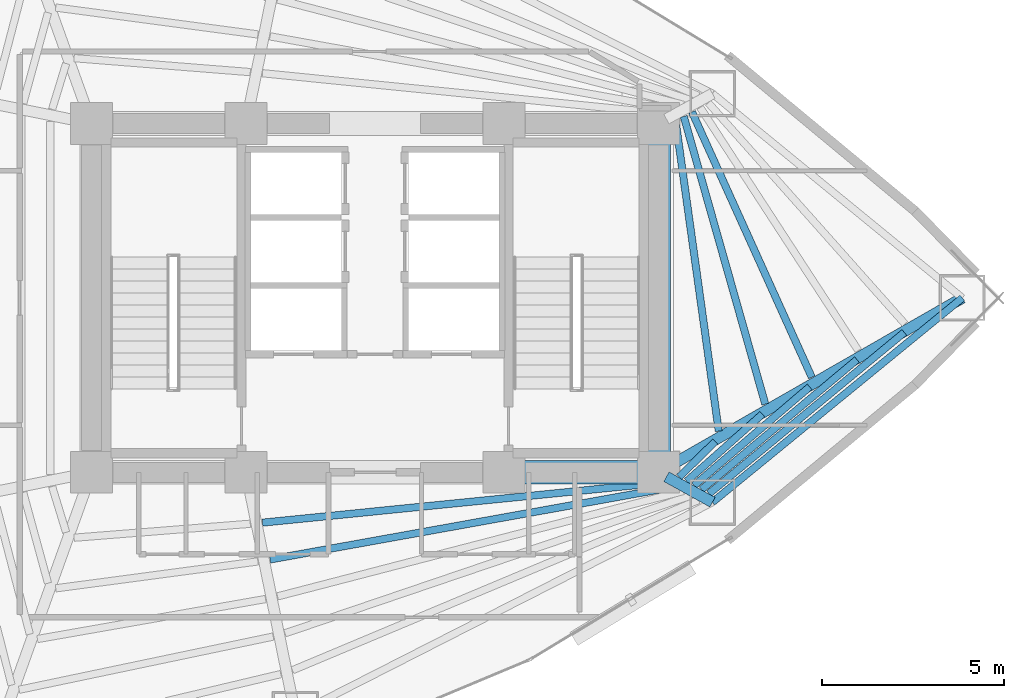
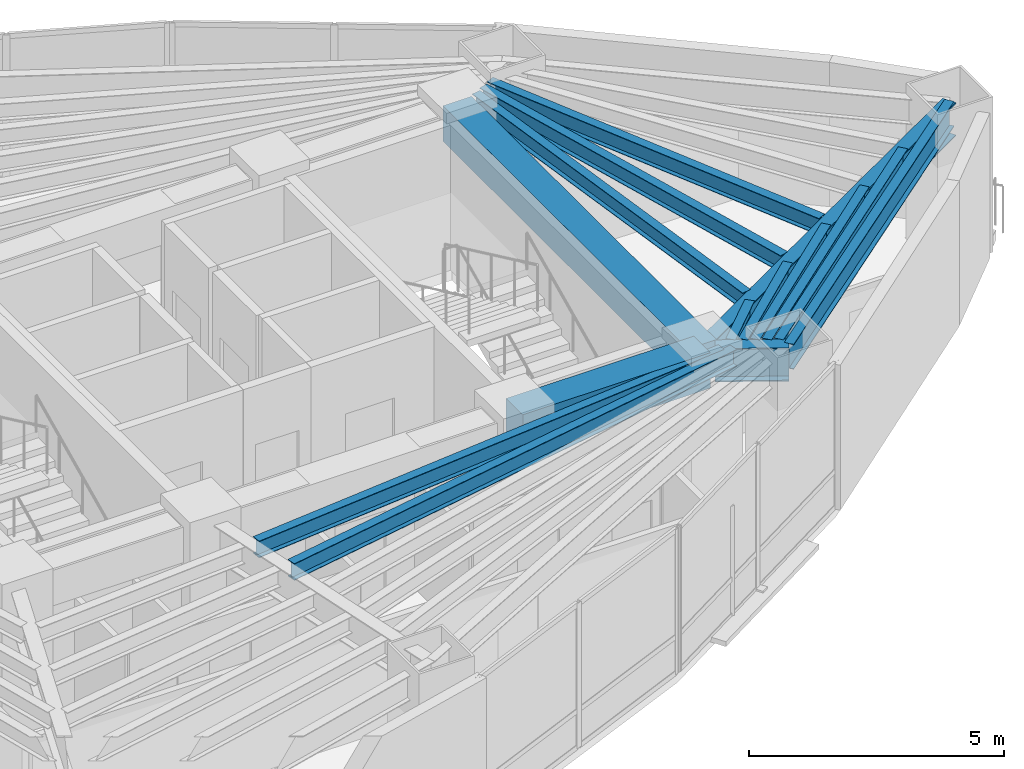
# One storey, part 6 of 18: 15 beams.
"""IFC4 building model written with IfcOpenShell, lengths in metres."""

from ifc_helpers import new_model, si_unit, direction, frame, origin, origin_2d, place, context, subcontext, project, spatial, rectangle, i_section, extrude, material, material_profile, profile_set, type_object, element, save


model = new_model("IFC4")

# Units and contexts
model_context = context("Model", 3, precision=1e-05, world=origin(), true_north=direction((0.0, 1.0)))
body_context = subcontext(model_context, "Body", "Model", "MODEL_VIEW")
ifc_project = project(units=[si_unit("LENGTHUNIT", "METRE"), si_unit("AREAUNIT", "SQUARE_METRE"), si_unit("VOLUMEUNIT", "CUBIC_METRE"), si_unit("PLANEANGLEUNIT", "RADIAN"), si_unit("MASSUNIT", "GRAM", prefix="KILO")], contexts=[model_context])

# Site, building, storey
site_placement = place(None, origin())
site = spatial("IfcSite", under=ifc_project, at=site_placement, CompositionType="ELEMENT")
building_placement = place(site_placement, origin())
building = spatial("IfcBuilding", under=site, at=building_placement, Name="Menara Vayukalpa", CompositionType="ELEMENT")
storey_placement = place(building_placement, frame((0.0, 0.0, 92.820068359375)))
storey = spatial("IfcBuildingStorey", under=building, at=storey_placement, Name="L22", CompositionType="ELEMENT", Elevation=92.820068359375)

# Beams
ifc_material_1 = material(Name="Concrete C60/75", Category="concrete")
ifc_material_profile_1 = material_profile(ifc_material_1, rectangle(XDim=0.64990234375, YDim=0.85009765625, at=origin_2d()), Name="RC 650x850")
ifc_profile_set_1 = profile_set([ifc_material_profile_1], Name="Concrete C60/75")
beam_type_1 = type_object("IfcBeamType", Name="BM-CB1", PredefinedType="BEAM", material=ifc_profile_set_1)
beam_1_placement = place(storey_placement, frame((29.14990234375, 17.199951171875, 3.044921875), z_axis=(1.0, 0.0, 0.0), x_axis=(0.0, 1.0, 0.0)))
element("IfcBeam", 1, at=beam_1_placement, inside=storey, type_object=beam_type_1, Name="L22 Core Tie Beam CBR3", PredefinedType="BEAM", context=body_context, shape_type="SweptSolid", body=[
    extrude(rectangle(XDim=0.64990234375, YDim=0.85009765625, at=origin_2d()), origin(), (0.0, 0.0, 1.0), 4.25),
])
beam_2_placement = place(storey_placement, frame((33.39990234375, 17.199951171875, 3.044921875), z_axis=(0.0, 1.0, 0.0), x_axis=(-1.0, 0.0, 0.0)))
element("IfcBeam", 2, at=beam_2_placement, inside=storey, type_object=beam_type_1, Name="L22 Core Tie Beam CBR8", PredefinedType="BEAM", context=body_context, shape_type="SweptSolid", body=[
    extrude(rectangle(XDim=0.64990234375, YDim=0.85009765625, at=origin_2d()), origin(), (0.0, 0.0, 1.0), 9.60009765625),
])
ifc_material_2 = material(Name="Steel S355", Category="steel")
ifc_material_profile_2 = material_profile(ifc_material_2, i_section(OverallWidth=0.300048828125, OverallDepth=0.800048828125, WebThickness=0.013916015625, FlangeThickness=0.02587890625, at=origin_2d()), Name="WF 800x300x14x26")
ifc_profile_set_2 = profile_set([ifc_material_profile_2], Name="Steel S355")
beam_type_2 = type_object("IfcBeamType", Name="BM-PG3", PredefinedType="BEAM", material=ifc_profile_set_2)
beam_3_placement = place(storey_placement, frame((33.61669921875, 17.324462890625, 3.06982421875), z_axis=(0.867273673572, 0.497831673488, 0.0), x_axis=(-0.497831673488, 0.867273673572, 0.0)))
element("IfcBeam", 3, at=beam_3_placement, inside=storey, type_object=beam_type_2, Name="L22 Primary Radial Girder RG01", PredefinedType="BEAM", context=body_context, shape_type="SweptSolid", body=[
    extrude(i_section(OverallWidth=0.300048828125, OverallDepth=0.800048828125, WebThickness=0.013916015625, FlangeThickness=0.02587890625, at=origin_2d()), origin(), (0.0, 0.0, 1.0), 9.391845703125),
])
beam_4_placement = place(storey_placement, frame((33.618896484375, 17.0791015625, 3.06982421875), z_axis=(0.875228391676, -0.48370989488, 0.0), x_axis=(0.48370989488, 0.875228391676, 0.0)))
element("IfcBeam", 4, at=beam_4_placement, inside=storey, type_object=beam_type_2, Name="L22 Primary Radial Girder RG09", PredefinedType="BEAM", context=body_context, shape_type="SweptSolid", body=[
    extrude(i_section(OverallWidth=0.300048828125, OverallDepth=0.800048828125, WebThickness=0.013916015625, FlangeThickness=0.02587890625, at=origin_2d()), origin(), (0.0, 0.0, 1.0), 1.448486328125),
])
ifc_material_3 = material(Name="Steel S355", Category="steel")
ifc_material_profile_3 = material_profile(ifc_material_3, i_section(OverallWidth=0.199951171875, OverallDepth=0.39990234375, WebThickness=0.008056640625, FlangeThickness=0.012939453125, at=origin_2d()), Name="WF 400x200x8x13")
ifc_profile_set_3 = profile_set([ifc_material_profile_3], Name="Steel S355")
beam_type_3 = type_object("IfcBeamType", Name="BM-SJ2", PredefinedType="JOIST", material=ifc_profile_set_3)
beam_5_placement = place(storey_placement, frame((35.0595703125, 18.33447265625, 3.27001953125), z_axis=(-0.137826740717, 0.990456354184, 0.0), x_axis=(-0.990456354184, -0.137826740717, 0.0)))
element("IfcBeam", 5, at=beam_5_placement, inside=storey, type_object=beam_type_3, Name="L22 Secondary Floor Joist SJ01-1", PredefinedType="JOIST", context=body_context, shape_type="SweptSolid", body=[
    extrude(i_section(OverallWidth=0.199951171875, OverallDepth=0.39990234375, WebThickness=0.008056640625, FlangeThickness=0.012939453125, at=origin_2d()), origin(), (0.0, 0.0, 1.0), 8.62646484375),
])
beam_6_placement = place(storey_placement, frame((36.33984375, 19.07763671875, 3.27001953125), z_axis=(-0.272628202831, 0.962119464007, 0.0), x_axis=(-0.962119464007, -0.272628202831, 0.0)))
element("IfcBeam", 6, at=beam_6_placement, inside=storey, type_object=beam_type_3, Name="L22 Secondary Floor Joist SJ01-2", PredefinedType="JOIST", context=body_context, shape_type="SweptSolid", body=[
    extrude(i_section(OverallWidth=0.199951171875, OverallDepth=0.39990234375, WebThickness=0.008056640625, FlangeThickness=0.012939453125, at=origin_2d()), origin(), (0.0, 0.0, 1.0), 8.229736328125),
])
beam_7_placement = place(storey_placement, frame((37.619384765625, 19.817138671875, 3.27001953125), z_axis=(-0.411603873645, 0.911362853753, 0.0), x_axis=(-0.911362853753, -0.411603873645, 0.0)))
element("IfcBeam", 7, at=beam_7_placement, inside=storey, type_object=beam_type_3, Name="L22 Secondary Floor Joist SJ01-3", PredefinedType="JOIST", context=body_context, shape_type="SweptSolid", body=[
    extrude(i_section(OverallWidth=0.199951171875, OverallDepth=0.39990234375, WebThickness=0.008056640625, FlangeThickness=0.012939453125, at=origin_2d()), origin(), (0.0, 0.0, 1.0), 8.00927734375),
])
beam_8_placement = place(storey_placement, frame((22.50439453125, 15.81591796875, 3.27001953125), z_axis=(0.995012836574, 0.099746955103, 0.0), x_axis=(-0.099746955103, 0.995012836574, 0.0)))
element("IfcBeam", 8, at=beam_8_placement, inside=storey, type_object=beam_type_3, Name="L22 Secondary Floor Joist SJ08-1", PredefinedType="JOIST", context=body_context, shape_type="SweptSolid", body=[
    extrude(i_section(OverallWidth=0.199951171875, OverallDepth=0.39990234375, WebThickness=0.008056640625, FlangeThickness=0.012939453125, at=origin_2d()), origin(), (0.0, 0.0, 1.0), 11.2294921875),
])
beam_9_placement = place(storey_placement, frame((22.7119140625, 14.801513671875, 3.27001953125), z_axis=(0.984205443357, 0.177030068819, 0.0), x_axis=(-0.177030068819, 0.984205443357, 0.0)))
element("IfcBeam", 9, at=beam_9_placement, inside=storey, type_object=beam_type_3, Name="L22 Secondary Floor Joist SJ08-2", PredefinedType="JOIST", context=body_context, shape_type="SweptSolid", body=[
    extrude(i_section(OverallWidth=0.199951171875, OverallDepth=0.39990234375, WebThickness=0.008056640625, FlangeThickness=0.012939453125, at=origin_2d()), origin(), (0.0, 0.0, 1.0), 11.349853515625),
])
beam_10_placement = place(storey_placement, frame((33.968505859375, 17.072021484375, 3.27001953125), z_axis=(0.713567159094, 0.700586832208, 0.0), x_axis=(-0.700586832208, 0.713567159094, 0.0)))
element("IfcBeam", 10, at=beam_10_placement, inside=storey, type_object=beam_type_3, Name="L22 Secondary Floor Joist SJ09-1", PredefinedType="JOIST", context=body_context, shape_type="SweptSolid", body=[
    extrude(i_section(OverallWidth=0.199951171875, OverallDepth=0.39990234375, WebThickness=0.008056640625, FlangeThickness=0.012939453125, at=origin_2d()), origin(), (0.0, 0.0, 1.0), 1.391845703125),
])
beam_11_placement = place(storey_placement, frame((34.177001953125, 16.95361328125, 3.27001953125), z_axis=(0.747951028434, 0.663753914539, 0.0), x_axis=(-0.663753914539, 0.747951028434, 0.0)))
element("IfcBeam", 11, at=beam_11_placement, inside=storey, type_object=beam_type_3, Name="L22 Secondary Floor Joist SJ09-2", PredefinedType="JOIST", context=body_context, shape_type="SweptSolid", body=[
    extrude(i_section(OverallWidth=0.199951171875, OverallDepth=0.39990234375, WebThickness=0.008056640625, FlangeThickness=0.012939453125, at=origin_2d()), origin(), (0.0, 0.0, 1.0), 2.78369140625),
])
beam_12_placement = place(storey_placement, frame((34.382080078125, 16.839111328125, 3.27001953125), z_axis=(0.760566613353, 0.649259906858, 0.0), x_axis=(-0.649259906858, 0.760566613353, 0.0)))
element("IfcBeam", 12, at=beam_12_placement, inside=storey, type_object=beam_type_3, Name="L22 Secondary Floor Joist SJ09-3", PredefinedType="JOIST", context=body_context, shape_type="SweptSolid", body=[
    extrude(i_section(OverallWidth=0.199951171875, OverallDepth=0.39990234375, WebThickness=0.008056640625, FlangeThickness=0.012939453125, at=origin_2d()), origin(), (0.0, 0.0, 1.0), 4.178466796875),
])
beam_13_placement = place(storey_placement, frame((34.586181640625, 16.7255859375, 3.27001953125), z_axis=(0.767139570374, 0.64148022539, 0.0), x_axis=(-0.64148022539, 0.767139570374, 0.0)))
element("IfcBeam", 13, at=beam_13_placement, inside=storey, type_object=beam_type_3, Name="L22 Secondary Floor Joist SJ09-4", PredefinedType="JOIST", context=body_context, shape_type="SweptSolid", body=[
    extrude(i_section(OverallWidth=0.199951171875, OverallDepth=0.39990234375, WebThickness=0.008056640625, FlangeThickness=0.012939453125, at=origin_2d()), origin(), (0.0, 0.0, 1.0), 5.57421875),
])
beam_14_placement = place(storey_placement, frame((34.789794921875, 16.61279296875, 3.27001953125), z_axis=(0.771153144941, 0.636649689428, 0.0), x_axis=(-0.636649689428, 0.771153144941, 0.0)))
element("IfcBeam", 14, at=beam_14_placement, inside=storey, type_object=beam_type_3, Name="L22 Secondary Floor Joist SJ09-5", PredefinedType="JOIST", context=body_context, shape_type="SweptSolid", body=[
    extrude(i_section(OverallWidth=0.199951171875, OverallDepth=0.39990234375, WebThickness=0.008056640625, FlangeThickness=0.012939453125, at=origin_2d()), origin(), (0.0, 0.0, 1.0), 6.969970703125),
])
ifc_material_4 = material(Name="Steel S355", Category="steel")
ifc_material_profile_4 = material_profile(ifc_material_4, i_section(OverallWidth=0.199951171875, OverallDepth=0.60009765625, WebThickness=0.010986328125, FlangeThickness=0.01708984375, at=origin_2d()), Name="WF 600x200x11x17")
ifc_profile_set_4 = profile_set([ifc_material_profile_4], Name="Steel S355")
beam_type_4 = type_object("IfcBeamType", Name="BM-SP1", PredefinedType="SPANDREL", material=ifc_profile_set_4)
beam_15_placement = place(storey_placement, frame((34.88671875, 16.37841796875, 3.169921875), z_axis=(0.774156906301, 0.632993747541, 0.0), x_axis=(-0.632993747541, 0.774156906301, 0.0)))
element("IfcBeam", 15, at=beam_15_placement, inside=storey, type_object=beam_type_4, Name="L22 Perimeter Spandrel Beam SP09", PredefinedType="SPANDREL", context=body_context, shape_type="SweptSolid", body=[
    extrude(i_section(OverallWidth=0.199951171875, OverallDepth=0.60009765625, WebThickness=0.010986328125, FlangeThickness=0.01708984375, at=origin_2d()), origin(), (0.0, 0.0, 1.0), 8.880859375),
])

save(model, "model.ifc")
